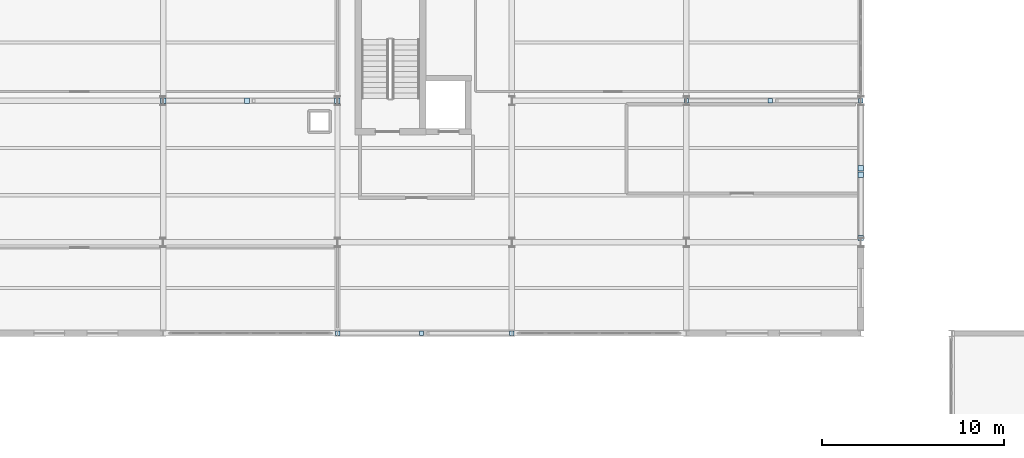
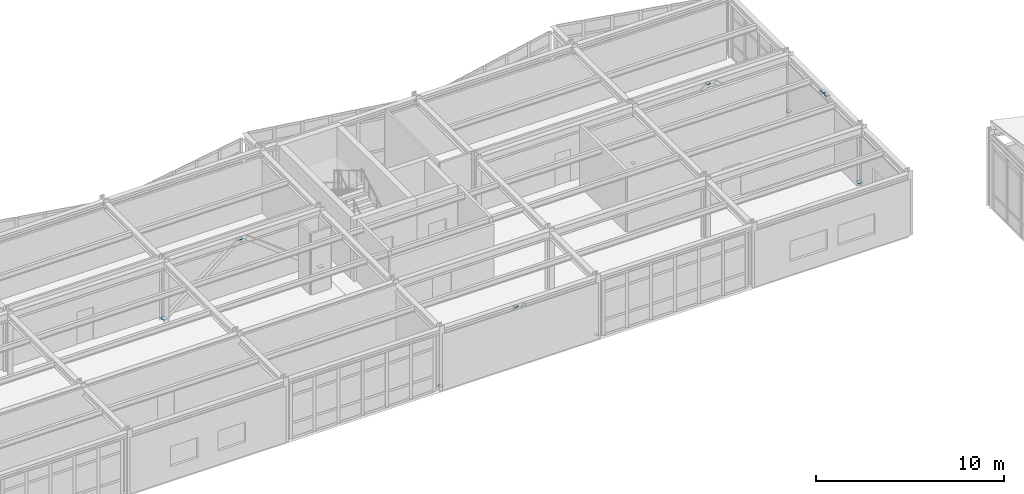
# One storey, part 53 of 64: 12 plates.
"""IFC4 building model written with IfcOpenShell, lengths in metres."""

from ifc_helpers import new_model, si_unit, direction, frame, origin, origin_2d, place, context, subcontext, project, spatial, rectangle, extrude, material, layer, layer_set, type_object, element, save


model = new_model("IFC4")

# Units and contexts
model_context = context("Model", 3, precision=1e-05, world=origin(), true_north=direction((0.0, 1.0)))
body_context = subcontext(model_context, "Body", "Model", "MODEL_VIEW")
ifc_project = project(units=[si_unit("LENGTHUNIT", "METRE"), si_unit("AREAUNIT", "SQUARE_METRE"), si_unit("VOLUMEUNIT", "CUBIC_METRE"), si_unit("PLANEANGLEUNIT", "RADIAN"), si_unit("MASSUNIT", "GRAM", prefix="KILO")], contexts=[model_context])

# Site, building, storey
site_placement = place(None, origin())
site = spatial("IfcSite", under=ifc_project, at=site_placement, CompositionType="ELEMENT")
building_placement = place(site_placement, origin())
building = spatial("IfcBuilding", under=site, at=building_placement, Name="Nordkorset Police Headquarters", CompositionType="ELEMENT")
storey_placement = place(building_placement, frame((0.0, 0.0, 17.85009765625)))
storey = spatial("IfcBuildingStorey", under=building, at=storey_placement, Name="L04", CompositionType="ELEMENT", Elevation=17.85009765625)

# Plates
ifc_material = material(Name="Steel S355J2", Category="steel")
ifc_layer = layer(ifc_material, 0.02001953125, Name="Steel S355J2")
ifc_layer_set = layer_set([ifc_layer], Name="Steel S355J2")
plate_type = type_object("IfcPlateType", Name="SteelPlate_20mm", PredefinedType="SHEET", material=ifc_layer_set)
for number, where, z_axis, x_axis, name in (
    (1, (48.00732421875, 110.39990234375, 0.18994140625), (0.0, 0.0, 1.0), (1.0, 0.0, 0.0), "Hollow Section End Cap Plate BF-V2-A-L04-D1-0"),
    (2, (52.6201171875, 110.39990234375, 3.760009765625), (0.0, 0.0, 1.0), (1.0, 0.0, 0.0), "Hollow Section End Cap Plate BF-V2-A-L04-D1-1"),
    (3, (57.5927734375, 110.39990234375, 0.18994140625), (0.0, 0.0, 1.0), (1.0, 0.0, 0.0), "Hollow Section End Cap Plate BF-V2-A-L04-D2-0"),
):
    element("IfcPlate", number, at=place(storey_placement, frame(where, z_axis=z_axis, x_axis=x_axis)), inside=storey, type_object=plate_type, Name=name, PredefinedType="SHEET", context=body_context, shape_type="SweptSolid", body=[
        extrude(rectangle(XDim=0.2900390625, YDim=0.2900390625, at=origin_2d()), origin(), (0.0, 0.0, 1.0), 0.02001953125),
    ])
for number, where, z_axis, x_axis, name in (
    (4, (76.807373046875, 110.39990234375, 0.18994140625), (0.0, 0.0, 1.0), (1.0, 0.0, 0.0), "Hollow Section End Cap Plate BF-V2-B-L04-D1-0"),
    (5, (81.419921875, 110.39990234375, 3.760009765625), (0.0, 0.0, 1.0), (1.0, 0.0, 0.0), "Hollow Section End Cap Plate BF-V2-B-L04-D1-1"),
    (6, (86.392578125, 110.39990234375, 0.18994140625), (0.0, 0.0, 1.0), (1.0, 0.0, 0.0), "Hollow Section End Cap Plate BF-V2-B-L04-D2-0"),
):
    element("IfcPlate", number, at=place(storey_placement, frame(where, z_axis=z_axis, x_axis=x_axis)), inside=storey, type_object=plate_type, Name=name, PredefinedType="SHEET", context=body_context, shape_type="SweptSolid", body=[
        extrude(rectangle(XDim=0.239990234375, YDim=0.239990234375, at=origin_2d()), origin(), (0.0, 0.0, 1.0), 0.02001953125),
    ])
for number, where, z_axis, x_axis, name in (
    (7, (86.39990234375, 102.85009765625, 0.18994140625), (0.0, 0.0, 1.0), (1.0, 0.0, 0.0), "Hollow Section End Cap Plate BF-EXT-V2E-L04-D1-0"),
    (8, (86.39990234375, 106.320068359375, 3.760009765625), (0.0, 0.0, 1.0), (1.0, 0.0, 0.0), "Hollow Section End Cap Plate BF-EXT-V2E-L04-D1-1"),
    (9, (86.39990234375, 106.679931640625, 3.760009765625), (0.0, 0.0, 1.0), (1.0, 0.0, 0.0), "Hollow Section End Cap Plate BF-EXT-V2E-L04-D2-1"),
):
    element("IfcPlate", number, at=place(storey_placement, frame(where, z_axis=z_axis, x_axis=x_axis)), inside=storey, type_object=plate_type, Name=name, PredefinedType="SHEET", context=body_context, shape_type="SweptSolid", body=[
        extrude(rectangle(XDim=0.2900390625, YDim=0.2900390625, at=origin_2d()), origin(), (0.0, 0.0, 1.0), 0.02001953125),
    ])
for number, where, z_axis, x_axis, name in (
    (10, (57.60595703125, 97.60009765625, 0.18994140625), (0.0, 0.0, 1.0), (1.0, 0.0, 0.0), "Hollow Section End Cap Plate BF-EXT-V2S-L04-D1-0"),
    (11, (62.219970703125, 97.60009765625, 3.760009765625), (0.0, 0.0, 1.0), (1.0, 0.0, 0.0), "Hollow Section End Cap Plate BF-EXT-V2S-L04-D1-1"),
    (12, (67.194091796875, 97.60009765625, 0.18994140625), (0.0, 0.0, 1.0), (1.0, 0.0, 0.0), "Hollow Section End Cap Plate BF-EXT-V2S-L04-D2-0"),
):
    element("IfcPlate", number, at=place(storey_placement, frame(where, z_axis=z_axis, x_axis=x_axis)), inside=storey, type_object=plate_type, Name=name, PredefinedType="SHEET", context=body_context, shape_type="SweptSolid", body=[
        extrude(rectangle(XDim=0.239990234375, YDim=0.239990234375, at=origin_2d()), origin(), (0.0, 0.0, 1.0), 0.02001953125),
    ])

save(model, "model.ifc")
